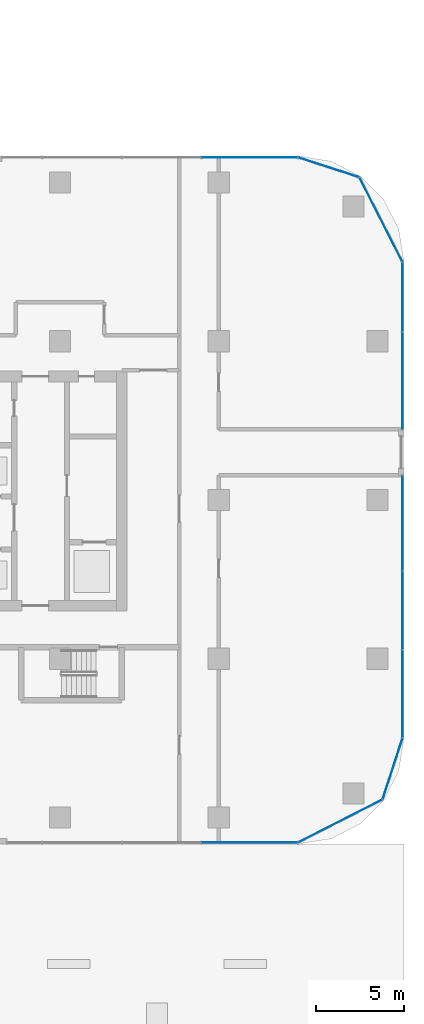
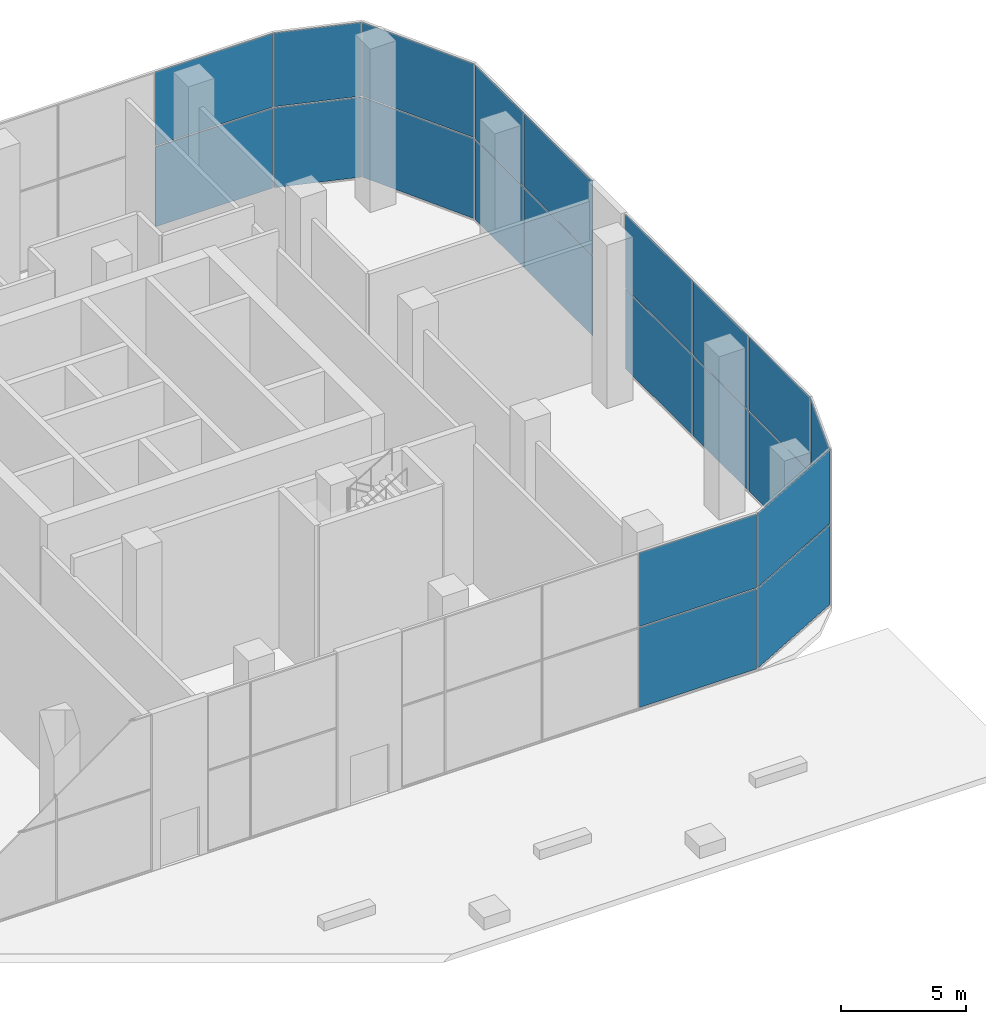
# One storey, part 28 of 54: 22 plates, 6 elements without a shape of their own.
"""IFC4 building model written with IfcOpenShell, lengths in metres."""

from ifc_helpers import new_model, si_unit, direction, frame, origin, origin_2d, place, context, subcontext, project, spatial, rectangle, extrude, material, layer, layer_set, type_object, element, aggregate, save


model = new_model("IFC4")

# Units and contexts
model_context = context("Model", 3, precision=1e-05, world=origin(), true_north=direction((0.0, 1.0)))
body_context = subcontext(model_context, "Body", "Model", "MODEL_VIEW")
ifc_project = project(units=[si_unit("LENGTHUNIT", "METRE"), si_unit("AREAUNIT", "SQUARE_METRE"), si_unit("VOLUMEUNIT", "CUBIC_METRE"), si_unit("PLANEANGLEUNIT", "RADIAN"), si_unit("MASSUNIT", "GRAM", prefix="KILO")], contexts=[model_context])

# Site, building, storey
site_placement = place(None, origin())
site = spatial("IfcSite", under=ifc_project, at=site_placement, CompositionType="ELEMENT")
building_placement = place(site_placement, origin())
building = spatial("IfcBuilding", under=site, at=building_placement, Name="Ogive Portal Towers", CompositionType="ELEMENT")
storey_placement = place(building_placement, origin())
storey = spatial("IfcBuildingStorey", under=building, at=storey_placement, Name="L00", CompositionType="ELEMENT", Elevation=0.0)

# Curtain wall, plates
ifc_material = material(Name="Glass, clear low-iron insulated glazing", Category="glass")
curtain_wall_type = type_object("IfcCurtainWallType", Name="CW PODIUM SHOPFRONT", PredefinedType="NOTDEFINED", material=ifc_material)
curtain_wall_1_placement = place(storey_placement, origin())
curtain_wall_1 = element("IfcCurtainWall", 1, at=curtain_wall_1_placement, inside=storey, type_object=curtain_wall_type, Name="B:L00:f02:cw2", PredefinedType="NOTDEFINED")
ifc_layer = layer(ifc_material, 0.028076171875)
ifc_layer_set = layer_set([ifc_layer], Name="CW PANEL IGU 28")
plate_type = type_object("IfcPlateType", Name="CW PANEL IGU 28", PredefinedType="CURTAIN_PANEL", material=ifc_layer_set)
plate_1_placement = place(storey_placement, frame((151.240478515625, 11.080078125, 0.06005859375), z_axis=(0.0, 0.0, 1.0), x_axis=(1.0, 0.0, 0.0)))
plate_1 = element("IfcPlate", 2, at=plate_1_placement, type_object=plate_type, Name="panel", PredefinedType="CURTAIN_PANEL", context=body_context, shape_type="SweptSolid", body=[
    extrude(rectangle(XDim=5.4208984375, YDim=0.028076171875, at=origin_2d()), origin(), (0.0, 0.0, 1.0), 3.909912109375),
])
plate_2_placement = place(storey_placement, frame((151.240478515625, 11.080078125, 4.02978515625), z_axis=(0.0, 0.0, 1.0), x_axis=(1.0, 0.0, 0.0)))
plate_2 = element("IfcPlate", 3, at=plate_2_placement, type_object=plate_type, Name="panel", PredefinedType="CURTAIN_PANEL", context=body_context, shape_type="SweptSolid", body=[
    extrude(rectangle(XDim=5.4208984375, YDim=0.028076171875, at=origin_2d()), origin(), (0.0, 0.0, 1.0), 3.610107421875),
])
aggregate(curtain_wall_1, [plate_1, plate_2])

curtain_wall_2_placement = place(storey_placement, origin())
curtain_wall_2 = element("IfcCurtainWall", 4, at=curtain_wall_2_placement, inside=storey, type_object=curtain_wall_type, Name="B:L00:f05:cw0", PredefinedType="NOTDEFINED")
plate_3_placement = place(storey_placement, frame((159.919921875, 19.50634765625, 0.06005859375), z_axis=(0.0, 0.0, 1.0), x_axis=(0.0, 1.0, 0.0)))
plate_3 = element("IfcPlate", 5, at=plate_3_placement, type_object=plate_type, Name="panel", PredefinedType="CURTAIN_PANEL", context=body_context, shape_type="SweptSolid", body=[
    extrude(rectangle(XDim=4.92724609375, YDim=0.028076171875, at=origin_2d()), origin(), (0.0, 0.0, 1.0), 3.909912109375),
])
plate_4_placement = place(storey_placement, frame((159.919921875, 19.50634765625, 4.02978515625), z_axis=(0.0, 0.0, 1.0), x_axis=(0.0, 1.0, 0.0)))
plate_4 = element("IfcPlate", 6, at=plate_4_placement, type_object=plate_type, Name="panel", PredefinedType="CURTAIN_PANEL", context=body_context, shape_type="SweptSolid", body=[
    extrude(rectangle(XDim=4.92724609375, YDim=0.028076171875, at=origin_2d()), origin(), (0.0, 0.0, 1.0), 3.610107421875),
])
plate_5_placement = place(storey_placement, frame((159.919921875, 24.25, 0.06005859375), z_axis=(0.0, 0.0, 1.0), x_axis=(0.0, 1.0, 0.0)))
plate_5 = element("IfcPlate", 7, at=plate_5_placement, type_object=plate_type, Name="panel", PredefinedType="CURTAIN_PANEL", context=body_context, shape_type="SweptSolid", body=[
    extrude(rectangle(XDim=4.43994140625, YDim=0.028076171875, at=origin_2d()), origin(), (0.0, 0.0, 1.0), 3.909912109375),
])
plate_6_placement = place(storey_placement, frame((159.919921875, 24.25, 4.02978515625), z_axis=(0.0, 0.0, 1.0), x_axis=(0.0, 1.0, 0.0)))
plate_6 = element("IfcPlate", 8, at=plate_6_placement, type_object=plate_type, Name="panel", PredefinedType="CURTAIN_PANEL", context=body_context, shape_type="SweptSolid", body=[
    extrude(rectangle(XDim=4.43994140625, YDim=0.028076171875, at=origin_2d()), origin(), (0.0, 0.0, 1.0), 3.610107421875),
])
plate_7_placement = place(storey_placement, frame((159.919921875, 29.197509765625, 0.06005859375), z_axis=(0.0, 0.0, 1.0), x_axis=(0.0, 1.0, 0.0)))
plate_7 = element("IfcPlate", 9, at=plate_7_placement, type_object=plate_type, Name="panel", PredefinedType="CURTAIN_PANEL", context=body_context, shape_type="SweptSolid", body=[
    extrude(rectangle(XDim=5.3349609375, YDim=0.028076171875, at=origin_2d()), origin(), (0.0, 0.0, 1.0), 3.909912109375),
])
plate_8_placement = place(storey_placement, frame((159.919921875, 29.197509765625, 4.02978515625), z_axis=(0.0, 0.0, 1.0), x_axis=(0.0, 1.0, 0.0)))
plate_8 = element("IfcPlate", 10, at=plate_8_placement, type_object=plate_type, Name="panel", PredefinedType="CURTAIN_PANEL", context=body_context, shape_type="SweptSolid", body=[
    extrude(rectangle(XDim=5.3349609375, YDim=0.028076171875, at=origin_2d()), origin(), (0.0, 0.0, 1.0), 3.610107421875),
])
aggregate(curtain_wall_2, [plate_3, plate_4, plate_5, plate_6, plate_7, plate_8])

curtain_wall_3_placement = place(storey_placement, origin())
curtain_wall_3 = element("IfcCurtainWall", 11, at=curtain_wall_3_placement, inside=storey, type_object=curtain_wall_type, Name="B:L00:f05:cw1", PredefinedType="NOTDEFINED")
plate_9_placement = place(storey_placement, frame((159.919921875, 37.24609375, 0.06005859375), z_axis=(0.0, 0.0, 1.0), x_axis=(0.0, 1.0, 0.0)))
plate_9 = element("IfcPlate", 12, at=plate_9_placement, type_object=plate_type, Name="panel", PredefinedType="CURTAIN_PANEL", context=body_context, shape_type="SweptSolid", body=[
    extrude(rectangle(XDim=5.447998046875, YDim=0.028076171875, at=origin_2d()), origin(), (0.0, 0.0, 1.0), 3.909912109375),
])
plate_10_placement = place(storey_placement, frame((159.919921875, 37.24609375, 4.02978515625), z_axis=(0.0, 0.0, 1.0), x_axis=(0.0, 1.0, 0.0)))
plate_10 = element("IfcPlate", 13, at=plate_10_placement, type_object=plate_type, Name="panel", PredefinedType="CURTAIN_PANEL", context=body_context, shape_type="SweptSolid", body=[
    extrude(rectangle(XDim=5.447998046875, YDim=0.028076171875, at=origin_2d()), origin(), (0.0, 0.0, 1.0), 3.610107421875),
])
plate_11_placement = place(storey_placement, frame((159.919921875, 41.990478515625, 0.06005859375), z_axis=(0.0, 0.0, 1.0), x_axis=(0.0, 1.0, 0.0)))
plate_11 = element("IfcPlate", 14, at=plate_11_placement, type_object=plate_type, Name="panel", PredefinedType="CURTAIN_PANEL", context=body_context, shape_type="SweptSolid", body=[
    extrude(rectangle(XDim=3.9208984375, YDim=0.028076171875, at=origin_2d()), origin(), (0.0, 0.0, 1.0), 3.909912109375),
])
plate_12_placement = place(storey_placement, frame((159.919921875, 41.990478515625, 4.02978515625), z_axis=(0.0, 0.0, 1.0), x_axis=(0.0, 1.0, 0.0)))
plate_12 = element("IfcPlate", 15, at=plate_12_placement, type_object=plate_type, Name="panel", PredefinedType="CURTAIN_PANEL", context=body_context, shape_type="SweptSolid", body=[
    extrude(rectangle(XDim=3.9208984375, YDim=0.028076171875, at=origin_2d()), origin(), (0.0, 0.0, 1.0), 3.610107421875),
])
aggregate(curtain_wall_3, [plate_9, plate_10, plate_11, plate_12])

curtain_wall_4_placement = place(storey_placement, origin())
curtain_wall_4 = element("IfcCurtainWall", 16, at=curtain_wall_4_placement, inside=storey, type_object=curtain_wall_type, Name="B:L00:f08:cw0", PredefinedType="NOTDEFINED")
plate_13_placement = place(storey_placement, frame((151.24365234375, 49.919921875, 0.06005859375), z_axis=(0.0, 0.0, 1.0), x_axis=(-1.0, 0.0, 0.0)))
plate_13 = element("IfcPlate", 17, at=plate_13_placement, type_object=plate_type, Name="panel", PredefinedType="CURTAIN_PANEL", context=body_context, shape_type="SweptSolid", body=[
    extrude(rectangle(XDim=5.42724609375, YDim=0.028076171875, at=origin_2d()), origin(), (0.0, 0.0, 1.0), 3.909912109375),
])
plate_14_placement = place(storey_placement, frame((151.24365234375, 49.919921875, 4.02978515625), z_axis=(0.0, 0.0, 1.0), x_axis=(-1.0, 0.0, 0.0)))
plate_14 = element("IfcPlate", 18, at=plate_14_placement, type_object=plate_type, Name="panel", PredefinedType="CURTAIN_PANEL", context=body_context, shape_type="SweptSolid", body=[
    extrude(rectangle(XDim=5.42724609375, YDim=0.028076171875, at=origin_2d()), origin(), (0.0, 0.0, 1.0), 3.610107421875),
])
aggregate(curtain_wall_4, [plate_13, plate_14])

curtain_wall_5_placement = place(storey_placement, origin())
curtain_wall_5 = element("IfcCurtainWall", 19, at=curtain_wall_5_placement, inside=storey, type_object=curtain_wall_type, Name="B:L00:f03:cwa", PredefinedType="NOTDEFINED")
plate_15_placement = place(storey_placement, frame((156.384521484375, 12.3046875, 0.06005859375), z_axis=(0.0, 0.0, 1.0), x_axis=(0.891006524188, 0.45399049974, 0.0)))
plate_15 = element("IfcPlate", 20, at=plate_15_placement, type_object=plate_type, Name="panel", PredefinedType="CURTAIN_PANEL", context=body_context, shape_type="SweptSolid", body=[
    extrude(rectangle(XDim=5.33544921875, YDim=0.028076171875, at=origin_2d()), origin(), (0.0, 0.0, 1.0), 3.909912109375),
])
plate_16_placement = place(storey_placement, frame((156.384521484375, 12.3046875, 4.02978515625), z_axis=(0.0, 0.0, 1.0), x_axis=(0.891006524188, 0.45399049974, 0.0)))
plate_16 = element("IfcPlate", 21, at=plate_16_placement, type_object=plate_type, Name="panel", PredefinedType="CURTAIN_PANEL", context=body_context, shape_type="SweptSolid", body=[
    extrude(rectangle(XDim=5.33544921875, YDim=0.028076171875, at=origin_2d()), origin(), (0.0, 0.0, 1.0), 3.610107421875),
])
plate_17_placement = place(storey_placement, frame((159.354248046875, 15.27099609375, 0.06005859375), z_axis=(0.0, 0.0, 1.0), x_axis=(0.309016994375, 0.951056516295, 0.0)))
plate_17 = element("IfcPlate", 22, at=plate_17_placement, type_object=plate_type, Name="panel", PredefinedType="CURTAIN_PANEL", context=body_context, shape_type="SweptSolid", body=[
    extrude(rectangle(XDim=3.602294921875, YDim=0.028076171875, at=origin_2d()), origin(), (0.0, 0.0, 1.0), 3.909912109375),
])
plate_18_placement = place(storey_placement, frame((159.354248046875, 15.27099609375, 4.02978515625), z_axis=(0.0, 0.0, 1.0), x_axis=(0.309016994375, 0.951056516295, 0.0)))
plate_18 = element("IfcPlate", 23, at=plate_18_placement, type_object=plate_type, Name="panel", PredefinedType="CURTAIN_PANEL", context=body_context, shape_type="SweptSolid", body=[
    extrude(rectangle(XDim=3.602294921875, YDim=0.028076171875, at=origin_2d()), origin(), (0.0, 0.0, 1.0), 3.610107421875),
])
aggregate(curtain_wall_5, [plate_15, plate_16, plate_17, plate_18])

curtain_wall_6_placement = place(storey_placement, origin())
curtain_wall_6 = element("IfcCurtainWall", 24, at=curtain_wall_6_placement, inside=storey, type_object=curtain_wall_type, Name="B:L00:f06:cwa", PredefinedType="NOTDEFINED")
plate_19_placement = place(storey_placement, frame((158.6953125, 46.384521484375, 0.06005859375), z_axis=(0.0, 0.0, 1.0), x_axis=(-0.45399049974, 0.891006524188, 0.0)))
plate_19 = element("IfcPlate", 25, at=plate_19_placement, type_object=plate_type, Name="panel", PredefinedType="CURTAIN_PANEL", context=body_context, shape_type="SweptSolid", body=[
    extrude(rectangle(XDim=5.33544921875, YDim=0.028076171875, at=origin_2d()), origin(), (0.0, 0.0, 1.0), 3.909912109375),
])
plate_20_placement = place(storey_placement, frame((158.6953125, 46.384521484375, 4.02978515625), z_axis=(0.0, 0.0, 1.0), x_axis=(-0.45399049974, 0.891006524188, 0.0)))
plate_20 = element("IfcPlate", 26, at=plate_20_placement, type_object=plate_type, Name="panel", PredefinedType="CURTAIN_PANEL", context=body_context, shape_type="SweptSolid", body=[
    extrude(rectangle(XDim=5.33544921875, YDim=0.028076171875, at=origin_2d()), origin(), (0.0, 0.0, 1.0), 3.610107421875),
])
plate_21_placement = place(storey_placement, frame((155.72900390625, 49.354248046875, 0.06005859375), z_axis=(0.0, 0.0, 1.0), x_axis=(-0.951056516295, 0.309016994375, 0.0)))
plate_21 = element("IfcPlate", 27, at=plate_21_placement, type_object=plate_type, Name="panel", PredefinedType="CURTAIN_PANEL", context=body_context, shape_type="SweptSolid", body=[
    extrude(rectangle(XDim=3.602294921875, YDim=0.028076171875, at=origin_2d()), origin(), (0.0, 0.0, 1.0), 3.909912109375),
])
plate_22_placement = place(storey_placement, frame((155.72900390625, 49.354248046875, 4.02978515625), z_axis=(0.0, 0.0, 1.0), x_axis=(-0.951056516295, 0.309016994375, 0.0)))
plate_22 = element("IfcPlate", 28, at=plate_22_placement, type_object=plate_type, Name="panel", PredefinedType="CURTAIN_PANEL", context=body_context, shape_type="SweptSolid", body=[
    extrude(rectangle(XDim=3.602294921875, YDim=0.028076171875, at=origin_2d()), origin(), (0.0, 0.0, 1.0), 3.610107421875),
])
aggregate(curtain_wall_6, [plate_19, plate_20, plate_21, plate_22])

save(model, "model.ifc")
